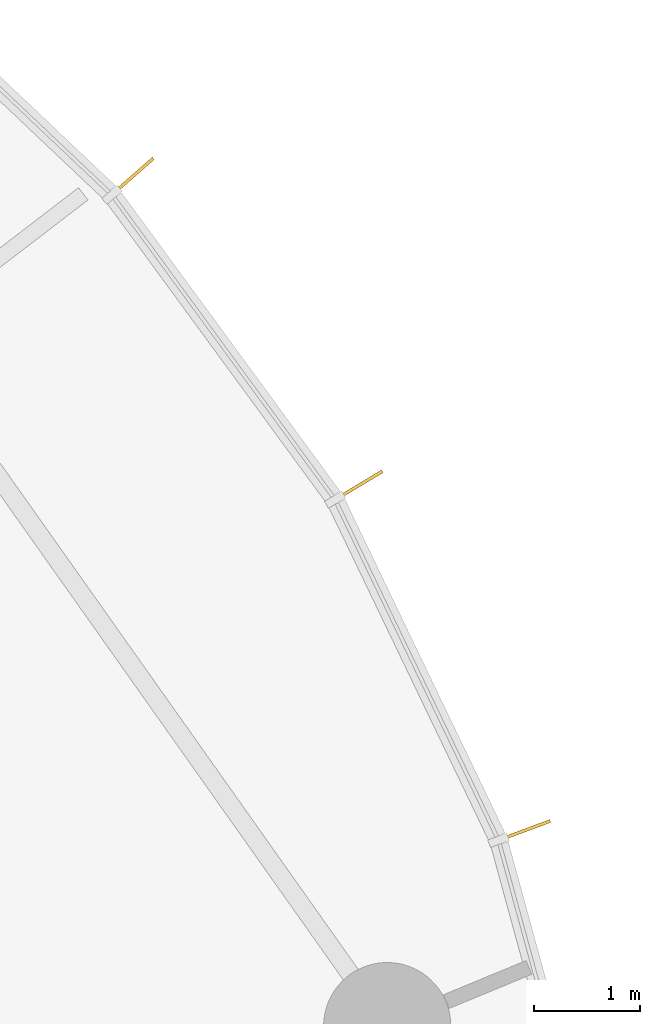
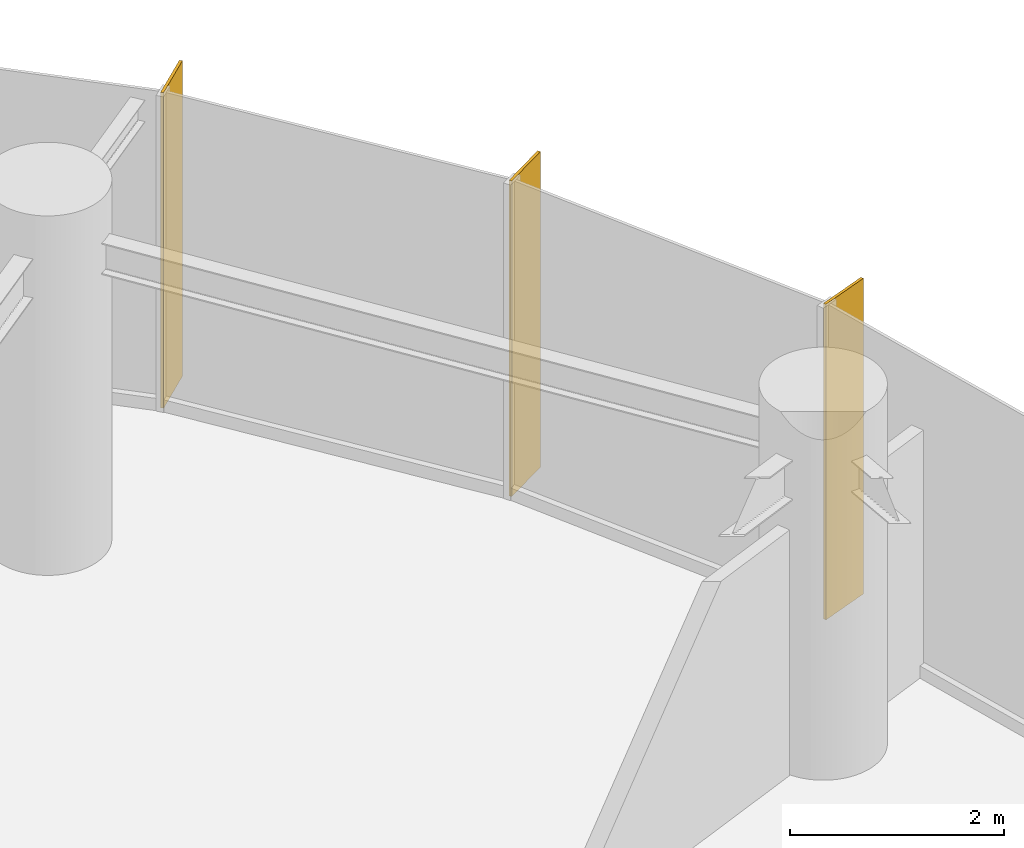
# One storey, part 17 of 17: 3 shading devices.
"""IFC4 building model written with IfcOpenShell, lengths in metres."""

from ifc_helpers import new_model, si_unit, direction, frame, origin, origin_2d, place, context, subcontext, project, spatial, rectangle, extrude, source, transform, mapped, material, material_profile, profile_set, type_object, element, save


model = new_model("IFC4")

# Units and contexts
model_context = context("Model", 3, precision=1e-05, world=origin(), true_north=direction((0.0, 1.0)))
body_context = subcontext(model_context, "Body", "Model", "MODEL_VIEW")
ifc_project = project(units=[si_unit("LENGTHUNIT", "METRE"), si_unit("AREAUNIT", "SQUARE_METRE"), si_unit("VOLUMEUNIT", "CUBIC_METRE"), si_unit("PLANEANGLEUNIT", "RADIAN"), si_unit("MASSUNIT", "GRAM", prefix="KILO")], contexts=[model_context])

# Site, building, storey
site_placement = place(None, origin())
site = spatial("IfcSite", under=ifc_project, at=site_placement, CompositionType="ELEMENT")
building_placement = place(site_placement, origin())
building = spatial("IfcBuilding", under=site, at=building_placement, Name="Spindrift Exchange Tower", CompositionType="ELEMENT")
storey_placement = place(building_placement, frame((0.0, 0.0, 124.89990234375)))
storey = spatial("IfcBuildingStorey", under=building, at=storey_placement, Name="L29", CompositionType="ELEMENT", Elevation=124.89990234375)

# Shading devices
ifc_material = material(Name="Bronze anodised aluminium", Category="aluminium")
ifc_material_profile = material_profile(ifc_material, rectangle(XDim=0.030029296875, YDim=0.550048828125, at=origin_2d()), Name="WIND FIN 30X550")
ifc_profile_set = profile_set([ifc_material_profile], Name="Bronze anodised aluminium")
shading_device_type = type_object("IfcShadingDeviceType", Name="WIND FIN 30X550", PredefinedType="USERDEFINED", material=ifc_profile_set)
shared_shape = source(origin(), body_context, "Body", "SweptSolid", [
    extrude(rectangle(XDim=0.030029296875, YDim=0.550048828125, at=origin_2d()), origin(), (0.0, 0.0, 1.0), 3.60009765625),
])
for number, where, z_axis, x_axis, name in (
    (1, (80.17431640625, 64.877197265625, 0.0), (0.0, 0.0, 1.0), (-0.513881168257, 0.85786137861, 0.0), "L29 wind fin 2"),
    (2, (78.04345703125, 67.7880859375, 0.0), (0.0, 0.0, 1.0), (-0.661039510068, 0.750351095241, 0.0), "L29 wind fin 3"),
    (3, (81.7353515625, 61.625244140625, 0.0), (0.0, 0.0, 1.0), (-0.349658027812, 0.93687740051, 0.0), "L29 wind fin 4"),
):
    element("IfcShadingDevice", number, at=place(storey_placement, frame(where, z_axis=z_axis, x_axis=x_axis)), inside=storey, type_object=shading_device_type, Name=name, ObjectType="FIN", PredefinedType="USERDEFINED", context=body_context, shape_type="MappedRepresentation", body=[
        mapped(shared_shape, transform((0.0, 0.0, 0.0), scale=1.0)),
    ])

save(model, "model.ifc")
